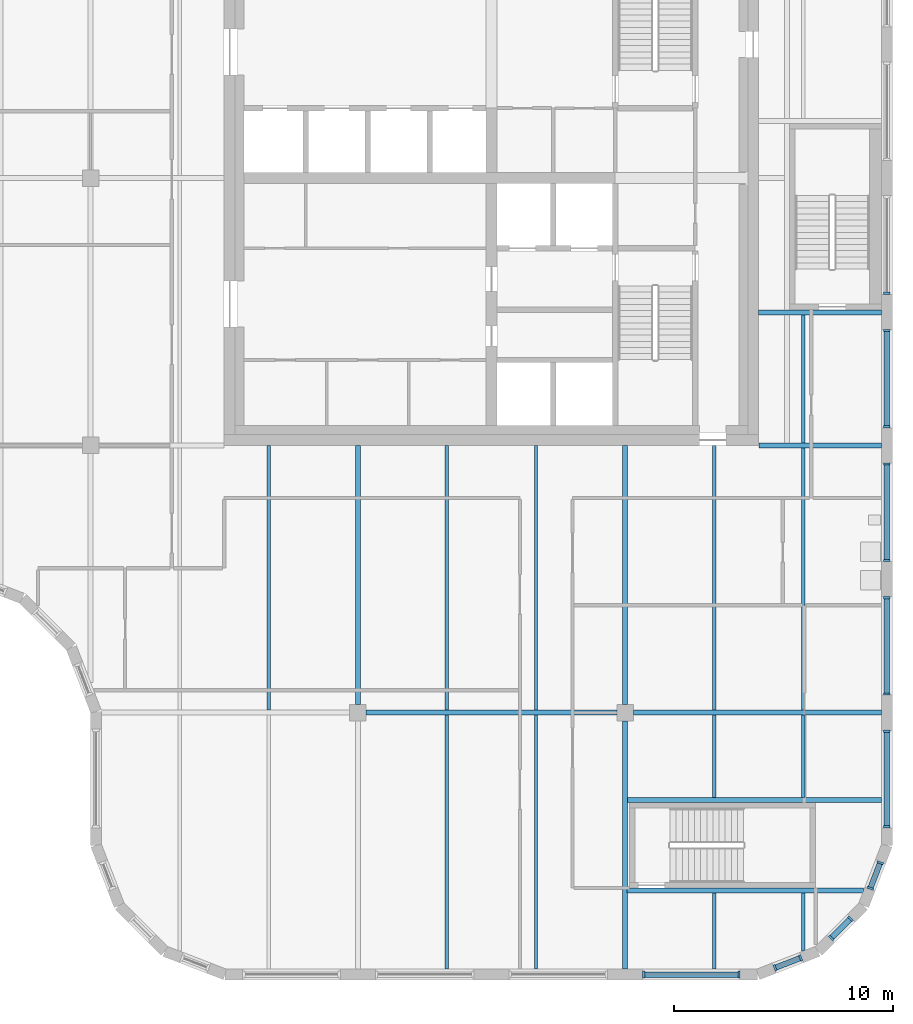
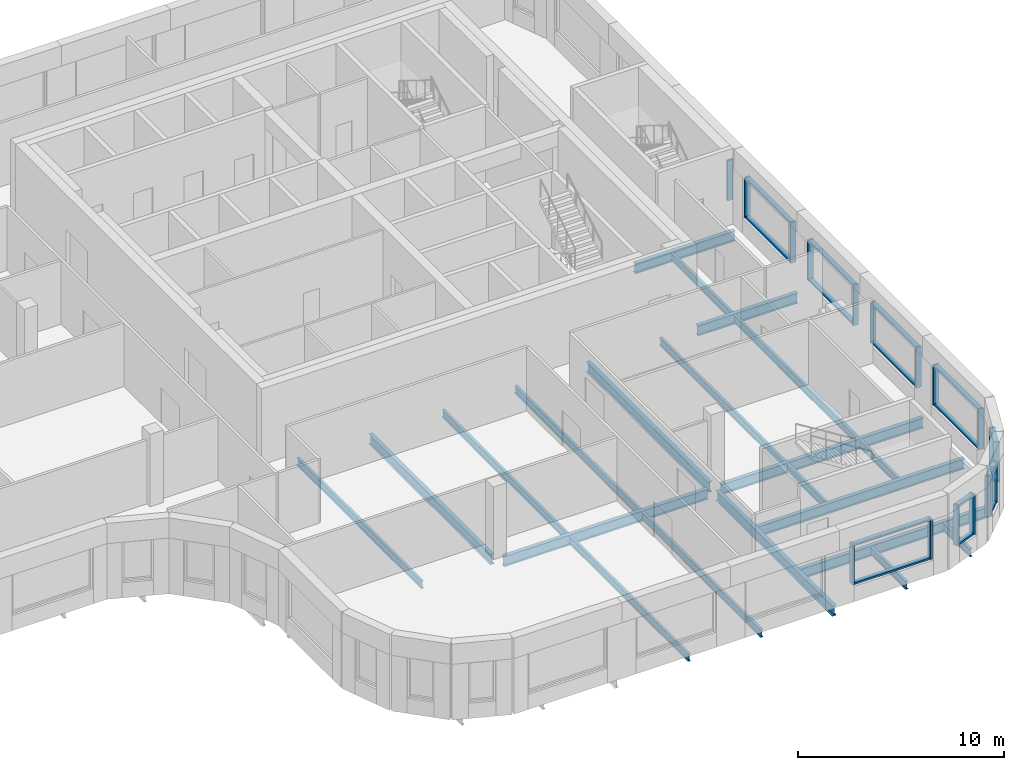
# One storey, part 3 of 21: 33 members, 21 beams, 9 elements without a shape of their own.
"""IFC4 building model written with IfcOpenShell, lengths in metres."""

from ifc_helpers import new_model, si_unit, direction, frame, origin, origin_2d, place, context, subcontext, project, spatial, rectangle, i_section, extrude, material, material_profile, profile_set, type_object, element, aggregate, save


model = new_model("IFC4")

# Units and contexts
model_context = context("Model", 3, precision=1e-05, world=origin(), true_north=direction((0.0, 1.0)))
body_context = subcontext(model_context, "Body", "Model", "MODEL_VIEW")
ifc_project = project(units=[si_unit("LENGTHUNIT", "METRE"), si_unit("AREAUNIT", "SQUARE_METRE"), si_unit("VOLUMEUNIT", "CUBIC_METRE"), si_unit("PLANEANGLEUNIT", "RADIAN"), si_unit("MASSUNIT", "GRAM", prefix="KILO")], contexts=[model_context])

# Site, building, storey
site_placement = place(None, origin())
site = spatial("IfcSite", under=ifc_project, at=site_placement, CompositionType="ELEMENT")
building_placement = place(site_placement, origin())
building = spatial("IfcBuilding", under=site, at=building_placement, Name="Tessera Gate Towers", CompositionType="ELEMENT")
storey_placement = place(building_placement, frame((0.0, 0.0, 193.39990234375)))
storey = spatial("IfcBuildingStorey", under=building, at=storey_placement, Name="L48", CompositionType="ELEMENT", Elevation=193.39990234375)

# Beams
ifc_material_1 = material(Name="Steel 350W", Category="steel")
ifc_material_profile_1 = material_profile(ifc_material_1, i_section(OverallWidth=0.22802734375, OverallDepth=0.60302734375, WebThickness=0.010498046875, FlangeThickness=0.014892578125, at=origin_2d()), Name="W610x101")
ifc_profile_set_1 = profile_set([ifc_material_profile_1], Name="Steel 350W")
beam_type_1 = type_object("IfcBeamType", Name="FLOOR GIRDER W610x101", PredefinedType="BEAM", material=ifc_profile_set_1)
beam_1_placement = place(storey_placement, frame((36.97509765625, 12.199951171875, -0.551513671875), z_axis=(1.0, 0.0, 0.0), x_axis=(0.0, 1.0, 0.0)))
element("IfcBeam", 1, at=beam_1_placement, inside=storey, type_object=beam_type_1, Name="T1-GD-L48-5109", PredefinedType="BEAM", context=body_context, shape_type="SweptSolid", body=[
    extrude(i_section(OverallWidth=0.22802734375, OverallDepth=0.60302734375, WebThickness=0.010498046875, FlangeThickness=0.014892578125, at=origin_2d()), origin(), (0.0, 0.0, 1.0), 11.449951171875),
])
beam_2_placement = place(storey_placement, frame((49.175048828125, 12.199951171875, -0.551513671875), z_axis=(1.0, 0.0, 0.0), x_axis=(0.0, 1.0, 0.0)))
element("IfcBeam", 2, at=beam_2_placement, inside=storey, type_object=beam_type_1, Name="T1-GD-L48-5110", PredefinedType="BEAM", context=body_context, shape_type="SweptSolid", body=[
    extrude(i_section(OverallWidth=0.22802734375, OverallDepth=0.60302734375, WebThickness=0.010498046875, FlangeThickness=0.014892578125, at=origin_2d()), origin(), (0.0, 0.0, 1.0), 11.325927734375),
])
beam_3_placement = place(storey_placement, frame((54.90087890625, 24.39990234375, -0.551513671875), z_axis=(1.0, 0.0, 0.0), x_axis=(0.0, 1.0, 0.0)))
element("IfcBeam", 3, at=beam_3_placement, inside=storey, type_object=beam_type_1, Name="T1-GD-L48-5114", PredefinedType="BEAM", context=body_context, shape_type="SweptSolid", body=[
    extrude(i_section(OverallWidth=0.22802734375, OverallDepth=0.60302734375, WebThickness=0.010498046875, FlangeThickness=0.014892578125, at=origin_2d()), origin(), (0.0, 0.0, 1.0), 5.60009765625),
])
beam_4_placement = place(storey_placement, frame((36.60009765625, 12.574951171875, -0.551513671875), z_axis=(0.0, 1.0, 0.0), x_axis=(-1.0, 0.0, 0.0)))
element("IfcBeam", 4, at=beam_4_placement, inside=storey, type_object=beam_type_1, Name="T1-GD-L48-5132", PredefinedType="BEAM", context=body_context, shape_type="SweptSolid", body=[
    extrude(i_section(OverallWidth=0.22802734375, OverallDepth=0.60302734375, WebThickness=0.010498046875, FlangeThickness=0.014892578125, at=origin_2d()), origin(), (0.0, 0.0, 1.0), 11.824951171875),
])
beam_5_placement = place(storey_placement, frame((48.800048828125, 0.4990234375, -0.551513671875), z_axis=(0.0, 1.0, 0.0), x_axis=(-1.0, 0.0, 0.0)))
element("IfcBeam", 5, at=beam_5_placement, inside=storey, type_object=beam_type_1, Name="T1-GD-L48-5133", PredefinedType="BEAM", context=body_context, shape_type="SweptSolid", body=[
    extrude(i_section(OverallWidth=0.22802734375, OverallDepth=0.60302734375, WebThickness=0.010498046875, FlangeThickness=0.014892578125, at=origin_2d()), origin(), (0.0, 0.0, 1.0), 11.325927734375),
])
beam_6_placement = place(storey_placement, frame((48.800048828125, 12.574951171875, -0.551513671875), z_axis=(0.0, 1.0, 0.0), x_axis=(-1.0, 0.0, 0.0)))
element("IfcBeam", 6, at=beam_6_placement, inside=storey, type_object=beam_type_1, Name="T1-GD-L48-5134", PredefinedType="BEAM", context=body_context, shape_type="SweptSolid", body=[
    extrude(i_section(OverallWidth=0.22802734375, OverallDepth=0.60302734375, WebThickness=0.010498046875, FlangeThickness=0.014892578125, at=origin_2d()), origin(), (0.0, 0.0, 1.0), 11.824951171875),
])
beam_7_placement = place(storey_placement, frame((48.87646484375, 4.080078125, -0.551513671875), z_axis=(1.0, 0.0, 0.0), x_axis=(0.0, 1.0, 0.0)))
element("IfcBeam", 7, at=beam_7_placement, inside=storey, type_object=beam_type_1, Name="T1-GD-L48-5137", PredefinedType="BEAM", context=body_context, shape_type="SweptSolid", body=[
    extrude(i_section(OverallWidth=0.22802734375, OverallDepth=0.60302734375, WebThickness=0.010498046875, FlangeThickness=0.014892578125, at=origin_2d()), origin(), (0.0, 0.0, 1.0), 10.809326171875),
])
beam_8_placement = place(storey_placement, frame((48.87646484375, 8.219970703125, -0.551513671875), z_axis=(1.0, 0.0, 0.0), x_axis=(0.0, 1.0, 0.0)))
element("IfcBeam", 8, at=beam_8_placement, inside=storey, type_object=beam_type_1, Name="T1-GD-L48-5138", PredefinedType="BEAM", context=body_context, shape_type="SweptSolid", body=[
    extrude(i_section(OverallWidth=0.22802734375, OverallDepth=0.60302734375, WebThickness=0.010498046875, FlangeThickness=0.014892578125, at=origin_2d()), origin(), (0.0, 0.0, 1.0), 11.62451171875),
])
beam_9_placement = place(storey_placement, frame((54.89892578125, 30.47998046875, -0.551513671875), z_axis=(1.0, 0.0, 0.0), x_axis=(0.0, 1.0, 0.0)))
element("IfcBeam", 9, at=beam_9_placement, inside=storey, type_object=beam_type_1, Name="T1-GD-L48-5139", PredefinedType="BEAM", context=body_context, shape_type="SweptSolid", body=[
    extrude(i_section(OverallWidth=0.22802734375, OverallDepth=0.60302734375, WebThickness=0.010498046875, FlangeThickness=0.014892578125, at=origin_2d()), origin(), (0.0, 0.0, 1.0), 5.60205078125),
])
ifc_material_2 = material(Name="Steel 350W", Category="steel")
ifc_material_profile_2 = material_profile(ifc_material_2, i_section(OverallWidth=0.153076171875, OverallDepth=0.455078125, WebThickness=0.008056640625, FlangeThickness=0.01318359375, at=origin_2d()), Name="W460x60")
ifc_profile_set_2 = profile_set([ifc_material_profile_2], Name="Steel 350W")
beam_type_2 = type_object("IfcBeamType", Name="FLOOR SECONDARY W460x60", PredefinedType="BEAM", material=ifc_profile_set_2)
beam_10_placement = place(storey_placement, frame((32.533203125, 12.31396484375, -0.477294921875), z_axis=(0.0, 1.0, 0.0), x_axis=(-1.0, 0.0, 0.0)))
element("IfcBeam", 10, at=beam_10_placement, inside=storey, type_object=beam_type_2, Name="T1-BM-L48-5162", PredefinedType="BEAM", context=body_context, shape_type="SweptSolid", body=[
    extrude(i_section(OverallWidth=0.153076171875, OverallDepth=0.455078125, WebThickness=0.008056640625, FlangeThickness=0.01318359375, at=origin_2d()), origin(), (0.0, 0.0, 1.0), 12.0859375),
])
beam_11_placement = place(storey_placement, frame((40.666748046875, 0.5, -0.477294921875), z_axis=(0.0, 1.0, 0.0), x_axis=(-1.0, 0.0, 0.0)))
element("IfcBeam", 11, at=beam_11_placement, inside=storey, type_object=beam_type_2, Name="T1-BM-L48-5165", PredefinedType="BEAM", context=body_context, shape_type="SweptSolid", body=[
    extrude(i_section(OverallWidth=0.153076171875, OverallDepth=0.455078125, WebThickness=0.008056640625, FlangeThickness=0.01318359375, at=origin_2d()), origin(), (0.0, 0.0, 1.0), 11.5859375),
])
beam_12_placement = place(storey_placement, frame((40.666748046875, 12.31396484375, -0.477294921875), z_axis=(0.0, 1.0, 0.0), x_axis=(-1.0, 0.0, 0.0)))
element("IfcBeam", 12, at=beam_12_placement, inside=storey, type_object=beam_type_2, Name="T1-BM-L48-5166", PredefinedType="BEAM", context=body_context, shape_type="SweptSolid", body=[
    extrude(i_section(OverallWidth=0.153076171875, OverallDepth=0.455078125, WebThickness=0.008056640625, FlangeThickness=0.01318359375, at=origin_2d()), origin(), (0.0, 0.0, 1.0), 12.0859375),
])
beam_13_placement = place(storey_placement, frame((44.7333984375, 0.5, -0.477294921875), z_axis=(0.0, 1.0, 0.0), x_axis=(-1.0, 0.0, 0.0)))
element("IfcBeam", 13, at=beam_13_placement, inside=storey, type_object=beam_type_2, Name="T1-BM-L48-5168", PredefinedType="BEAM", context=body_context, shape_type="SweptSolid", body=[
    extrude(i_section(OverallWidth=0.153076171875, OverallDepth=0.455078125, WebThickness=0.008056640625, FlangeThickness=0.01318359375, at=origin_2d()), origin(), (0.0, 0.0, 1.0), 11.5859375),
])
beam_14_placement = place(storey_placement, frame((44.7333984375, 12.31396484375, -0.477294921875), z_axis=(0.0, 1.0, 0.0), x_axis=(-1.0, 0.0, 0.0)))
element("IfcBeam", 14, at=beam_14_placement, inside=storey, type_object=beam_type_2, Name="T1-BM-L48-5169", PredefinedType="BEAM", context=body_context, shape_type="SweptSolid", body=[
    extrude(i_section(OverallWidth=0.153076171875, OverallDepth=0.455078125, WebThickness=0.008056640625, FlangeThickness=0.01318359375, at=origin_2d()), origin(), (0.0, 0.0, 1.0), 12.0859375),
])
beam_15_placement = place(storey_placement, frame((52.86669921875, 0.5, -0.477294921875), z_axis=(0.0, 1.0, 0.0), x_axis=(-1.0, 0.0, 0.0)))
element("IfcBeam", 15, at=beam_15_placement, inside=storey, type_object=beam_type_2, Name="T1-BM-L48-5172", PredefinedType="BEAM", context=body_context, shape_type="SweptSolid", body=[
    extrude(i_section(OverallWidth=0.153076171875, OverallDepth=0.455078125, WebThickness=0.008056640625, FlangeThickness=0.01318359375, at=origin_2d()), origin(), (0.0, 0.0, 1.0), 3.466064453125),
])
beam_16_placement = place(storey_placement, frame((52.86669921875, 8.333984375, -0.477294921875), z_axis=(0.0, 1.0, 0.0), x_axis=(-1.0, 0.0, 0.0)))
element("IfcBeam", 16, at=beam_16_placement, inside=storey, type_object=beam_type_2, Name="T1-BM-L48-5173", PredefinedType="BEAM", context=body_context, shape_type="SweptSolid", body=[
    extrude(i_section(OverallWidth=0.153076171875, OverallDepth=0.455078125, WebThickness=0.008056640625, FlangeThickness=0.01318359375, at=origin_2d()), origin(), (0.0, 0.0, 1.0), 3.751953125),
])
beam_17_placement = place(storey_placement, frame((52.86669921875, 12.31396484375, -0.477294921875), z_axis=(0.0, 1.0, 0.0), x_axis=(-1.0, 0.0, 0.0)))
element("IfcBeam", 17, at=beam_17_placement, inside=storey, type_object=beam_type_2, Name="T1-BM-L48-5174", PredefinedType="BEAM", context=body_context, shape_type="SweptSolid", body=[
    extrude(i_section(OverallWidth=0.153076171875, OverallDepth=0.455078125, WebThickness=0.008056640625, FlangeThickness=0.01318359375, at=origin_2d()), origin(), (0.0, 0.0, 1.0), 12.0859375),
])
beam_18_placement = place(storey_placement, frame((56.933349609375, 1.3203125, -0.477294921875), z_axis=(0.0, 1.0, 0.0), x_axis=(-1.0, 0.0, 0.0)))
element("IfcBeam", 18, at=beam_18_placement, inside=storey, type_object=beam_type_2, Name="T1-BM-L48-5176", PredefinedType="BEAM", context=body_context, shape_type="SweptSolid", body=[
    extrude(i_section(OverallWidth=0.153076171875, OverallDepth=0.455078125, WebThickness=0.008056640625, FlangeThickness=0.01318359375, at=origin_2d()), origin(), (0.0, 0.0, 1.0), 2.645751953125),
])
beam_19_placement = place(storey_placement, frame((56.933349609375, 8.333984375, -0.477294921875), z_axis=(0.0, 1.0, 0.0), x_axis=(-1.0, 0.0, 0.0)))
element("IfcBeam", 19, at=beam_19_placement, inside=storey, type_object=beam_type_2, Name="T1-BM-L48-5177", PredefinedType="BEAM", context=body_context, shape_type="SweptSolid", body=[
    extrude(i_section(OverallWidth=0.153076171875, OverallDepth=0.455078125, WebThickness=0.008056640625, FlangeThickness=0.01318359375, at=origin_2d()), origin(), (0.0, 0.0, 1.0), 3.751953125),
])
beam_20_placement = place(storey_placement, frame((56.933349609375, 12.31396484375, -0.477294921875), z_axis=(0.0, 1.0, 0.0), x_axis=(-1.0, 0.0, 0.0)))
element("IfcBeam", 20, at=beam_20_placement, inside=storey, type_object=beam_type_2, Name="T1-BM-L48-5178", PredefinedType="BEAM", context=body_context, shape_type="SweptSolid", body=[
    extrude(i_section(OverallWidth=0.153076171875, OverallDepth=0.455078125, WebThickness=0.008056640625, FlangeThickness=0.01318359375, at=origin_2d()), origin(), (0.0, 0.0, 1.0), 11.971923828125),
])
beam_21_placement = place(storey_placement, frame((56.933349609375, 24.513916015625, -0.477294921875), z_axis=(0.0, 1.0, 0.0), x_axis=(-1.0, 0.0, 0.0)))
element("IfcBeam", 21, at=beam_21_placement, inside=storey, type_object=beam_type_2, Name="T1-BM-L48-5179", PredefinedType="BEAM", context=body_context, shape_type="SweptSolid", body=[
    extrude(i_section(OverallWidth=0.153076171875, OverallDepth=0.455078125, WebThickness=0.008056640625, FlangeThickness=0.01318359375, at=origin_2d()), origin(), (0.0, 0.0, 1.0), 5.85205078125),
])

# Curtain wall, members
ifc_material_3 = material(Name="Aluminium frame", Category="aluminium")
curtain_wall_type = type_object("IfcCurtainWallType", Name="CW-S3 amenity floor glazing", PredefinedType="NOTDEFINED", material=ifc_material_3)
curtain_wall_1_placement = place(storey_placement, origin())
curtain_wall_1 = element("IfcCurtainWall", 22, at=curtain_wall_1_placement, inside=storey, type_object=curtain_wall_type, Name="Curtain wall amenity floor glazing 0048", PredefinedType="NOTDEFINED")
ifc_material_4 = material(Name="Aluminium frame", Category="aluminium")
ifc_material_profile_3 = material_profile(ifc_material_4, rectangle(XDim=0.10009765625, YDim=0.300048828125, at=origin_2d()), Name="AL 100x300")
ifc_profile_set_3 = profile_set([ifc_material_profile_3], Name="Aluminium frame")
member_type_1 = type_object("IfcMemberType", Name="MU-S3 mullion 100x300", PredefinedType="MULLION", material=ifc_profile_set_3)
member_1_placement = place(storey_placement, frame((49.64990234375, 0.25, 0.900146484375), z_axis=(0.0, 0.0, 1.0), x_axis=(1.0, 0.0, 0.0)))
member_1 = element("IfcMember", 23, at=member_1_placement, type_object=member_type_1, Name="T1-CW3-0048 mullion 1", PredefinedType="MULLION", context=body_context, shape_type="SweptSolid", body=[
    extrude(rectangle(XDim=0.10009765625, YDim=0.300048828125, at=origin_2d()), origin(), (0.0, 0.0, 1.0), 2.39990234375),
])
member_2_placement = place(storey_placement, frame((54.00341796875, 0.25, 0.900146484375), z_axis=(0.0, 0.0, 1.0), x_axis=(1.0, 0.0, 0.0)))
member_2 = element("IfcMember", 24, at=member_2_placement, type_object=member_type_1, Name="T1-CW3-0048 mullion 2", PredefinedType="MULLION", context=body_context, shape_type="SweptSolid", body=[
    extrude(rectangle(XDim=0.10009765625, YDim=0.300048828125, at=origin_2d()), origin(), (0.0, 0.0, 1.0), 2.39990234375),
])

curtain_wall_2_placement = place(storey_placement, origin())
curtain_wall_2 = element("IfcCurtainWall", 25, at=curtain_wall_2_placement, inside=storey, type_object=curtain_wall_type, Name="Curtain wall amenity floor glazing 0049", PredefinedType="NOTDEFINED")
member_3_placement = place(storey_placement, frame((55.646484375, 0.555908203125, 0.900146484375), z_axis=(0.0, 0.0, 1.0), x_axis=(0.932989314041, 0.359904070394, 0.0)))
member_3 = element("IfcMember", 26, at=member_3_placement, type_object=member_type_1, Name="T1-CW3-0049 mullion 1", PredefinedType="MULLION", context=body_context, shape_type="SweptSolid", body=[
    extrude(rectangle(XDim=0.10009765625, YDim=0.300048828125, at=origin_2d()), origin(), (0.0, 0.0, 1.0), 2.39990234375),
])
member_4_placement = place(storey_placement, frame((56.813232421875, 1.006103515625, 0.900146484375), z_axis=(0.0, 0.0, 1.0), x_axis=(0.932989314041, 0.359904070394, 0.0)))
member_4 = element("IfcMember", 27, at=member_4_placement, type_object=member_type_1, Name="T1-CW3-0049 mullion 2", PredefinedType="MULLION", context=body_context, shape_type="SweptSolid", body=[
    extrude(rectangle(XDim=0.10009765625, YDim=0.300048828125, at=origin_2d()), origin(), (0.0, 0.0, 1.0), 2.39990234375),
])

curtain_wall_3_placement = place(storey_placement, origin())
curtain_wall_3 = element("IfcCurtainWall", 28, at=curtain_wall_3_placement, inside=storey, type_object=curtain_wall_type, Name="Curtain wall amenity floor glazing 0050", PredefinedType="NOTDEFINED")
member_5_placement = place(storey_placement, frame((58.207275390625, 1.912841796875, 0.900146484375), z_axis=(0.0, 0.0, 1.0), x_axis=(0.707106781187, 0.707106781187, 0.0)))
member_5 = element("IfcMember", 29, at=member_5_placement, type_object=member_type_1, Name="T1-CW3-0050 mullion 1", PredefinedType="MULLION", context=body_context, shape_type="SweptSolid", body=[
    extrude(rectangle(XDim=0.10009765625, YDim=0.300048828125, at=origin_2d()), origin(), (0.0, 0.0, 1.0), 2.39990234375),
])
member_6_placement = place(storey_placement, frame((59.087158203125, 2.792724609375, 0.900146484375), z_axis=(0.0, 0.0, 1.0), x_axis=(0.707106781187, 0.707106781187, 0.0)))
member_6 = element("IfcMember", 30, at=member_6_placement, type_object=member_type_1, Name="T1-CW3-0050 mullion 2", PredefinedType="MULLION", context=body_context, shape_type="SweptSolid", body=[
    extrude(rectangle(XDim=0.10009765625, YDim=0.300048828125, at=origin_2d()), origin(), (0.0, 0.0, 1.0), 2.39990234375),
])

curtain_wall_4_placement = place(storey_placement, origin())
curtain_wall_4 = element("IfcCurtainWall", 31, at=curtain_wall_4_placement, inside=storey, type_object=curtain_wall_type, Name="Curtain wall amenity floor glazing 0051", PredefinedType="NOTDEFINED")
member_7_placement = place(storey_placement, frame((59.993896484375, 4.186767578125, 0.900146484375), z_axis=(0.0, 0.0, 1.0), x_axis=(0.359904070394, 0.932989314041, 0.0)))
member_7 = element("IfcMember", 32, at=member_7_placement, type_object=member_type_1, Name="T1-CW3-0051 mullion 1", PredefinedType="MULLION", context=body_context, shape_type="SweptSolid", body=[
    extrude(rectangle(XDim=0.10009765625, YDim=0.300048828125, at=origin_2d()), origin(), (0.0, 0.0, 1.0), 2.39990234375),
])
member_8_placement = place(storey_placement, frame((60.444091796875, 5.353515625, 0.900146484375), z_axis=(0.0, 0.0, 1.0), x_axis=(0.359904070394, 0.932989314041, 0.0)))
member_8 = element("IfcMember", 33, at=member_8_placement, type_object=member_type_1, Name="T1-CW3-0051 mullion 2", PredefinedType="MULLION", context=body_context, shape_type="SweptSolid", body=[
    extrude(rectangle(XDim=0.10009765625, YDim=0.300048828125, at=origin_2d()), origin(), (0.0, 0.0, 1.0), 2.39990234375),
])

curtain_wall_5_placement = place(storey_placement, origin())
curtain_wall_5 = element("IfcCurtainWall", 34, at=curtain_wall_5_placement, inside=storey, type_object=curtain_wall_type, Name="Curtain wall amenity floor glazing 0052", PredefinedType="NOTDEFINED")
member_9_placement = place(storey_placement, frame((60.75, 6.99658203125, 0.900146484375), z_axis=(0.0, 0.0, 1.0), x_axis=(0.0, 1.0, 0.0)))
member_9 = element("IfcMember", 35, at=member_9_placement, type_object=member_type_1, Name="T1-CW3-0052 mullion 1", PredefinedType="MULLION", context=body_context, shape_type="SweptSolid", body=[
    extrude(rectangle(XDim=0.10009765625, YDim=0.300048828125, at=origin_2d()), origin(), (0.0, 0.0, 1.0), 2.39990234375),
])
member_10_placement = place(storey_placement, frame((60.75, 11.35009765625, 0.900146484375), z_axis=(0.0, 0.0, 1.0), x_axis=(0.0, 1.0, 0.0)))
member_10 = element("IfcMember", 36, at=member_10_placement, type_object=member_type_1, Name="T1-CW3-0052 mullion 2", PredefinedType="MULLION", context=body_context, shape_type="SweptSolid", body=[
    extrude(rectangle(XDim=0.10009765625, YDim=0.300048828125, at=origin_2d()), origin(), (0.0, 0.0, 1.0), 2.39990234375),
])

curtain_wall_6_placement = place(storey_placement, origin())
curtain_wall_6 = element("IfcCurtainWall", 37, at=curtain_wall_6_placement, inside=storey, type_object=curtain_wall_type, Name="Curtain wall amenity floor glazing 0053", PredefinedType="NOTDEFINED")
member_11_placement = place(storey_placement, frame((60.75, 13.050048828125, 0.900146484375), z_axis=(0.0, 0.0, 1.0), x_axis=(0.0, 1.0, 0.0)))
member_11 = element("IfcMember", 38, at=member_11_placement, type_object=member_type_1, Name="T1-CW3-0053 mullion 1", PredefinedType="MULLION", context=body_context, shape_type="SweptSolid", body=[
    extrude(rectangle(XDim=0.10009765625, YDim=0.300048828125, at=origin_2d()), origin(), (0.0, 0.0, 1.0), 2.39990234375),
])
member_12_placement = place(storey_placement, frame((60.75, 17.449951171875, 0.900146484375), z_axis=(0.0, 0.0, 1.0), x_axis=(0.0, 1.0, 0.0)))
member_12 = element("IfcMember", 39, at=member_12_placement, type_object=member_type_1, Name="T1-CW3-0053 mullion 2", PredefinedType="MULLION", context=body_context, shape_type="SweptSolid", body=[
    extrude(rectangle(XDim=0.10009765625, YDim=0.300048828125, at=origin_2d()), origin(), (0.0, 0.0, 1.0), 2.39990234375),
])

curtain_wall_7_placement = place(storey_placement, origin())
curtain_wall_7 = element("IfcCurtainWall", 40, at=curtain_wall_7_placement, inside=storey, type_object=curtain_wall_type, Name="Curtain wall amenity floor glazing 0054", PredefinedType="NOTDEFINED")
member_13_placement = place(storey_placement, frame((60.75, 19.14990234375, 0.900146484375), z_axis=(0.0, 0.0, 1.0), x_axis=(0.0, 1.0, 0.0)))
member_13 = element("IfcMember", 41, at=member_13_placement, type_object=member_type_1, Name="T1-CW3-0054 mullion 1", PredefinedType="MULLION", context=body_context, shape_type="SweptSolid", body=[
    extrude(rectangle(XDim=0.10009765625, YDim=0.300048828125, at=origin_2d()), origin(), (0.0, 0.0, 1.0), 2.39990234375),
])
member_14_placement = place(storey_placement, frame((60.75, 23.550048828125, 0.900146484375), z_axis=(0.0, 0.0, 1.0), x_axis=(0.0, 1.0, 0.0)))
member_14 = element("IfcMember", 42, at=member_14_placement, type_object=member_type_1, Name="T1-CW3-0054 mullion 2", PredefinedType="MULLION", context=body_context, shape_type="SweptSolid", body=[
    extrude(rectangle(XDim=0.10009765625, YDim=0.300048828125, at=origin_2d()), origin(), (0.0, 0.0, 1.0), 2.39990234375),
])

curtain_wall_8_placement = place(storey_placement, origin())
curtain_wall_8 = element("IfcCurtainWall", 43, at=curtain_wall_8_placement, inside=storey, type_object=curtain_wall_type, Name="Curtain wall amenity floor glazing 0055", PredefinedType="NOTDEFINED")
member_15_placement = place(storey_placement, frame((60.75, 25.25, 0.900146484375), z_axis=(0.0, 0.0, 1.0), x_axis=(0.0, 1.0, 0.0)))
member_15 = element("IfcMember", 44, at=member_15_placement, type_object=member_type_1, Name="T1-CW3-0055 mullion 1", PredefinedType="MULLION", context=body_context, shape_type="SweptSolid", body=[
    extrude(rectangle(XDim=0.10009765625, YDim=0.300048828125, at=origin_2d()), origin(), (0.0, 0.0, 1.0), 2.39990234375),
])
member_16_placement = place(storey_placement, frame((60.75, 29.64990234375, 0.900146484375), z_axis=(0.0, 0.0, 1.0), x_axis=(0.0, 1.0, 0.0)))
member_16 = element("IfcMember", 45, at=member_16_placement, type_object=member_type_1, Name="T1-CW3-0055 mullion 2", PredefinedType="MULLION", context=body_context, shape_type="SweptSolid", body=[
    extrude(rectangle(XDim=0.10009765625, YDim=0.300048828125, at=origin_2d()), origin(), (0.0, 0.0, 1.0), 2.39990234375),
])

# Curtain wall, member
curtain_wall_9_placement = place(storey_placement, origin())
curtain_wall_9 = element("IfcCurtainWall", 46, at=curtain_wall_9_placement, inside=storey, type_object=curtain_wall_type, Name="Curtain wall amenity floor glazing 0056", PredefinedType="NOTDEFINED")
member_17_placement = place(storey_placement, frame((60.75, 31.35009765625, 0.900146484375), z_axis=(0.0, 0.0, 1.0), x_axis=(0.0, 1.0, 0.0)))
member_17 = element("IfcMember", 47, at=member_17_placement, type_object=member_type_1, Name="T1-CW3-0056 mullion 1", PredefinedType="MULLION", context=body_context, shape_type="SweptSolid", body=[
    extrude(rectangle(XDim=0.10009765625, YDim=0.300048828125, at=origin_2d()), origin(), (0.0, 0.0, 1.0), 2.39990234375),
])
aggregate(curtain_wall_9, [member_17])

# Member
ifc_material_5 = material(Name="Aluminium frame", Category="aluminium")
ifc_material_profile_4 = material_profile(ifc_material_5, rectangle(XDim=0.25, YDim=0.10009765625, at=origin_2d()), Name="AL 100x250")
ifc_profile_set_4 = profile_set([ifc_material_profile_4], Name="Aluminium frame")
member_type_2 = type_object("IfcMemberType", Name="TR-S3 transom 100x250", PredefinedType="USERDEFINED", material=ifc_profile_set_4)
member_18_placement = place(storey_placement, frame((49.699951171875, 0.25, 0.9501953125), z_axis=(1.0, 0.0, 0.0), x_axis=(0.0, 1.0, 0.0)))
member_18 = element("IfcMember", 48, at=member_18_placement, type_object=member_type_2, Name="T1-CW3-0048 transom 1.1", ObjectType="TRANSOM", PredefinedType="USERDEFINED", context=body_context, shape_type="SweptSolid", body=[
    extrude(rectangle(XDim=0.25, YDim=0.10009765625, at=origin_2d()), origin(), (0.0, 0.0, 1.0), 4.25341796875),
])

member_19_placement = place(storey_placement, frame((49.699951171875, 0.25, 3.25), z_axis=(1.0, 0.0, 0.0), x_axis=(0.0, 1.0, 0.0)))
member_19 = element("IfcMember", 49, at=member_19_placement, type_object=member_type_2, Name="T1-CW3-0048 transom 1.2", ObjectType="TRANSOM", PredefinedType="USERDEFINED", context=body_context, shape_type="SweptSolid", body=[
    extrude(rectangle(XDim=0.25, YDim=0.10009765625, at=origin_2d()), origin(), (0.0, 0.0, 1.0), 4.25341796875),
])

aggregate(curtain_wall_1, [member_1, member_2, member_18, member_19])

member_20_placement = place(storey_placement, frame((55.693115234375, 0.573974609375, 0.9501953125), z_axis=(0.933000640571, 0.359874706938, 0.0), x_axis=(-0.359874706938, 0.933000640571, 0.0)))
member_20 = element("IfcMember", 50, at=member_20_placement, type_object=member_type_2, Name="T1-CW3-0049 transom 1.1", ObjectType="TRANSOM", PredefinedType="USERDEFINED", context=body_context, shape_type="SweptSolid", body=[
    extrude(rectangle(XDim=0.25, YDim=0.10009765625, at=origin_2d()), origin(), (0.0, 0.0, 1.0), 1.150634765625),
])

member_21_placement = place(storey_placement, frame((55.693115234375, 0.573974609375, 3.25), z_axis=(0.933000640571, 0.359874706938, 0.0), x_axis=(-0.359874706938, 0.933000640571, 0.0)))
member_21 = element("IfcMember", 51, at=member_21_placement, type_object=member_type_2, Name="T1-CW3-0049 transom 1.2", ObjectType="TRANSOM", PredefinedType="USERDEFINED", context=body_context, shape_type="SweptSolid", body=[
    extrude(rectangle(XDim=0.25, YDim=0.10009765625, at=origin_2d()), origin(), (0.0, 0.0, 1.0), 1.150634765625),
])

aggregate(curtain_wall_2, [member_3, member_4, member_20, member_21])

member_22_placement = place(storey_placement, frame((58.24267578125, 1.9482421875, 0.9501953125), z_axis=(0.707106781187, 0.707106781187, 0.0), x_axis=(-0.707106781187, 0.707106781187, 0.0)))
member_22 = element("IfcMember", 52, at=member_22_placement, type_object=member_type_2, Name="T1-CW3-0050 transom 1.1", ObjectType="TRANSOM", PredefinedType="USERDEFINED", context=body_context, shape_type="SweptSolid", body=[
    extrude(rectangle(XDim=0.25, YDim=0.10009765625, at=origin_2d()), origin(), (0.0, 0.0, 1.0), 1.144287109375),
])

member_23_placement = place(storey_placement, frame((58.24267578125, 1.9482421875, 3.25), z_axis=(0.707106781187, 0.707106781187, 0.0), x_axis=(-0.707106781187, 0.707106781187, 0.0)))
member_23 = element("IfcMember", 53, at=member_23_placement, type_object=member_type_2, Name="T1-CW3-0050 transom 1.2", ObjectType="TRANSOM", PredefinedType="USERDEFINED", context=body_context, shape_type="SweptSolid", body=[
    extrude(rectangle(XDim=0.25, YDim=0.10009765625, at=origin_2d()), origin(), (0.0, 0.0, 1.0), 1.144287109375),
])

aggregate(curtain_wall_3, [member_5, member_6, member_22, member_23])

member_24_placement = place(storey_placement, frame((60.011962890625, 4.2333984375, 0.9501953125), z_axis=(0.359874706938, 0.933000640571, 0.0), x_axis=(-0.933000640571, 0.359874706938, 0.0)))
member_24 = element("IfcMember", 54, at=member_24_placement, type_object=member_type_2, Name="T1-CW3-0051 transom 1.1", ObjectType="TRANSOM", PredefinedType="USERDEFINED", context=body_context, shape_type="SweptSolid", body=[
    extrude(rectangle(XDim=0.25, YDim=0.10009765625, at=origin_2d()), origin(), (0.0, 0.0, 1.0), 1.150634765625),
])

member_25_placement = place(storey_placement, frame((60.011962890625, 4.2333984375, 3.25), z_axis=(0.359874706938, 0.933000640571, 0.0), x_axis=(-0.933000640571, 0.359874706938, 0.0)))
member_25 = element("IfcMember", 55, at=member_25_placement, type_object=member_type_2, Name="T1-CW3-0051 transom 1.2", ObjectType="TRANSOM", PredefinedType="USERDEFINED", context=body_context, shape_type="SweptSolid", body=[
    extrude(rectangle(XDim=0.25, YDim=0.10009765625, at=origin_2d()), origin(), (0.0, 0.0, 1.0), 1.150634765625),
])

aggregate(curtain_wall_4, [member_7, member_8, member_24, member_25])

member_26_placement = place(storey_placement, frame((60.75, 7.046630859375, 0.9501953125), z_axis=(0.0, 1.0, 0.0), x_axis=(-1.0, 0.0, 0.0)))
member_26 = element("IfcMember", 56, at=member_26_placement, type_object=member_type_2, Name="T1-CW3-0052 transom 1.1", ObjectType="TRANSOM", PredefinedType="USERDEFINED", context=body_context, shape_type="SweptSolid", body=[
    extrude(rectangle(XDim=0.25, YDim=0.10009765625, at=origin_2d()), origin(), (0.0, 0.0, 1.0), 4.25341796875),
])

member_27_placement = place(storey_placement, frame((60.75, 7.046630859375, 3.25), z_axis=(0.0, 1.0, 0.0), x_axis=(-1.0, 0.0, 0.0)))
member_27 = element("IfcMember", 57, at=member_27_placement, type_object=member_type_2, Name="T1-CW3-0052 transom 1.2", ObjectType="TRANSOM", PredefinedType="USERDEFINED", context=body_context, shape_type="SweptSolid", body=[
    extrude(rectangle(XDim=0.25, YDim=0.10009765625, at=origin_2d()), origin(), (0.0, 0.0, 1.0), 4.25341796875),
])

aggregate(curtain_wall_5, [member_9, member_10, member_26, member_27])

member_28_placement = place(storey_placement, frame((60.75, 13.10009765625, 0.9501953125), z_axis=(0.0, 1.0, 0.0), x_axis=(-1.0, 0.0, 0.0)))
member_28 = element("IfcMember", 58, at=member_28_placement, type_object=member_type_2, Name="T1-CW3-0053 transom 1.1", ObjectType="TRANSOM", PredefinedType="USERDEFINED", context=body_context, shape_type="SweptSolid", body=[
    extrude(rectangle(XDim=0.25, YDim=0.10009765625, at=origin_2d()), origin(), (0.0, 0.0, 1.0), 4.2998046875),
])

member_29_placement = place(storey_placement, frame((60.75, 13.10009765625, 3.25), z_axis=(0.0, 1.0, 0.0), x_axis=(-1.0, 0.0, 0.0)))
member_29 = element("IfcMember", 59, at=member_29_placement, type_object=member_type_2, Name="T1-CW3-0053 transom 1.2", ObjectType="TRANSOM", PredefinedType="USERDEFINED", context=body_context, shape_type="SweptSolid", body=[
    extrude(rectangle(XDim=0.25, YDim=0.10009765625, at=origin_2d()), origin(), (0.0, 0.0, 1.0), 4.2998046875),
])

aggregate(curtain_wall_6, [member_11, member_12, member_28, member_29])

member_30_placement = place(storey_placement, frame((60.75, 19.199951171875, 0.9501953125), z_axis=(0.0, 1.0, 0.0), x_axis=(-1.0, 0.0, 0.0)))
member_30 = element("IfcMember", 60, at=member_30_placement, type_object=member_type_2, Name="T1-CW3-0054 transom 1.1", ObjectType="TRANSOM", PredefinedType="USERDEFINED", context=body_context, shape_type="SweptSolid", body=[
    extrude(rectangle(XDim=0.25, YDim=0.10009765625, at=origin_2d()), origin(), (0.0, 0.0, 1.0), 4.300048828125),
])

member_31_placement = place(storey_placement, frame((60.75, 19.199951171875, 3.25), z_axis=(0.0, 1.0, 0.0), x_axis=(-1.0, 0.0, 0.0)))
member_31 = element("IfcMember", 61, at=member_31_placement, type_object=member_type_2, Name="T1-CW3-0054 transom 1.2", ObjectType="TRANSOM", PredefinedType="USERDEFINED", context=body_context, shape_type="SweptSolid", body=[
    extrude(rectangle(XDim=0.25, YDim=0.10009765625, at=origin_2d()), origin(), (0.0, 0.0, 1.0), 4.300048828125),
])

aggregate(curtain_wall_7, [member_13, member_14, member_30, member_31])

member_32_placement = place(storey_placement, frame((60.75, 25.300048828125, 0.9501953125), z_axis=(0.0, 1.0, 0.0), x_axis=(-1.0, 0.0, 0.0)))
member_32 = element("IfcMember", 62, at=member_32_placement, type_object=member_type_2, Name="T1-CW3-0055 transom 1.1", ObjectType="TRANSOM", PredefinedType="USERDEFINED", context=body_context, shape_type="SweptSolid", body=[
    extrude(rectangle(XDim=0.25, YDim=0.10009765625, at=origin_2d()), origin(), (0.0, 0.0, 1.0), 4.300048828125),
])

member_33_placement = place(storey_placement, frame((60.75, 25.300048828125, 3.25), z_axis=(0.0, 1.0, 0.0), x_axis=(-1.0, 0.0, 0.0)))
member_33 = element("IfcMember", 63, at=member_33_placement, type_object=member_type_2, Name="T1-CW3-0055 transom 1.2", ObjectType="TRANSOM", PredefinedType="USERDEFINED", context=body_context, shape_type="SweptSolid", body=[
    extrude(rectangle(XDim=0.25, YDim=0.10009765625, at=origin_2d()), origin(), (0.0, 0.0, 1.0), 4.300048828125),
])

aggregate(curtain_wall_8, [member_15, member_16, member_32, member_33])

save(model, "model.ifc")
